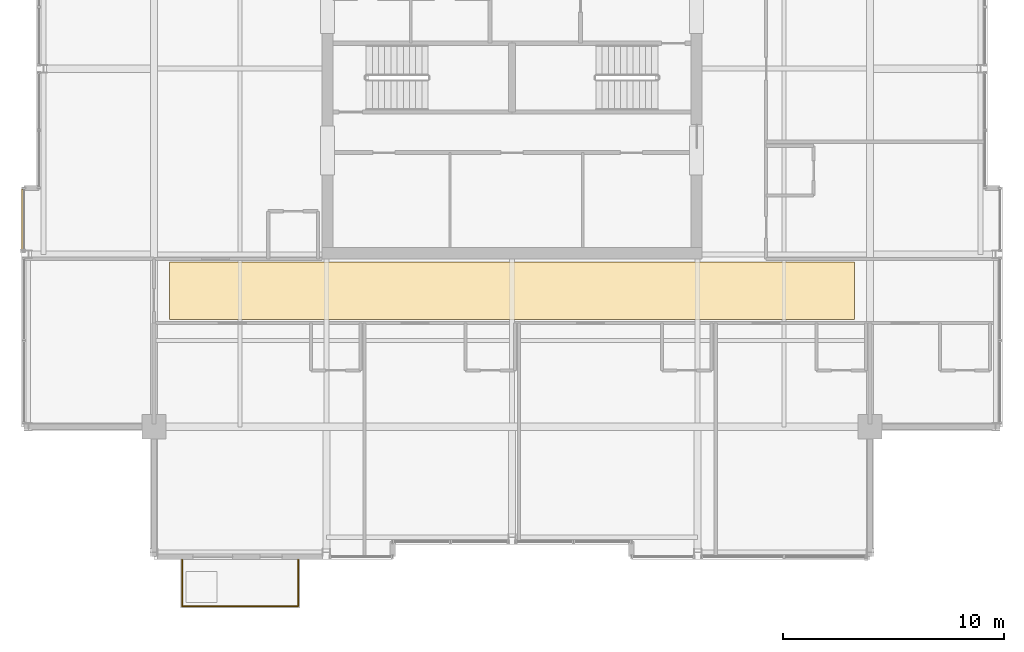
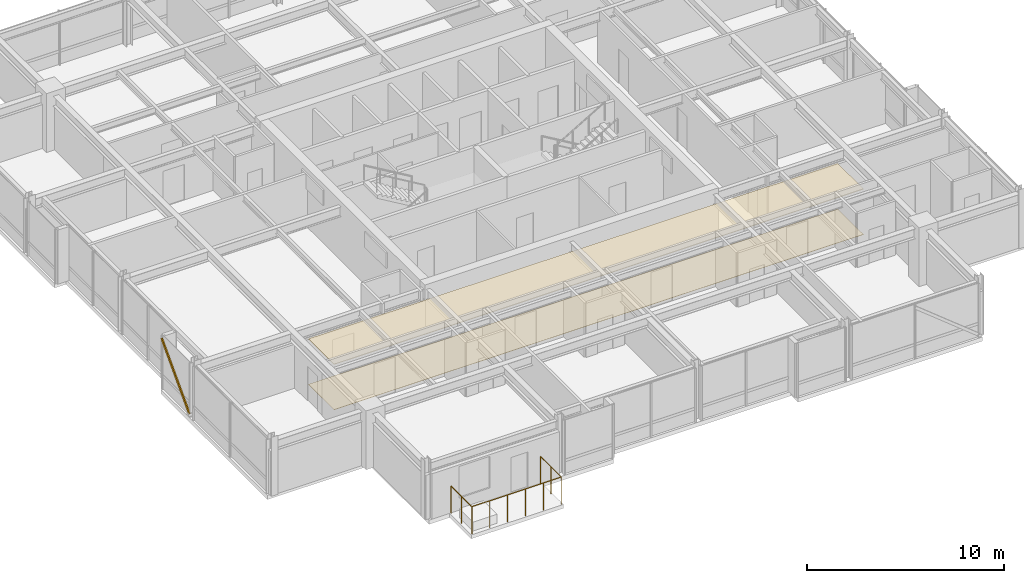
# One storey, part 32 of 34: 2 coverings, 1 railing, 1 shading device.
"""IFC4 building model written with IfcOpenShell, lengths in metres."""

from ifc_helpers import new_model, si_unit, direction, frame, origin, origin_2d, place, context, subcontext, project, spatial, polyline, hollow_rectangle, circle, outline, extrude, material, layer, layer_set, material_profile, profile_set, type_object, element, save


model = new_model("IFC4")

# Units and contexts
model_context = context("Model", 3, precision=1e-05, world=origin(), true_north=direction((0.0, 1.0)))
body_context = subcontext(model_context, "Body", "Model", "MODEL_VIEW")
ifc_project = project(units=[si_unit("LENGTHUNIT", "METRE"), si_unit("AREAUNIT", "SQUARE_METRE"), si_unit("VOLUMEUNIT", "CUBIC_METRE"), si_unit("PLANEANGLEUNIT", "RADIAN"), si_unit("MASSUNIT", "GRAM", prefix="KILO")], contexts=[model_context])

# Site, building, storey
site_placement = place(None, origin())
site = spatial("IfcSite", under=ifc_project, at=site_placement, CompositionType="ELEMENT")
building_placement = place(site_placement, origin())
building = spatial("IfcBuilding", under=site, at=building_placement, Name="Drelvath Grand Hotel", CompositionType="ELEMENT")
storey_placement = place(building_placement, frame((0.0, 0.0, 290.550048828125)))
storey = spatial("IfcBuildingStorey", under=building, at=storey_placement, Name="L76", CompositionType="ELEMENT", Elevation=290.550048828125)

# Shading device
ifc_material_1 = material(Name="Platinum-Mist Anodised Aluminium", Category="aluminium")
ifc_material_profile = material_profile(ifc_material_1, hollow_rectangle(XDim=0.06494140625, YDim=0.159912109375, WallThickness=0.00390625, at=origin_2d()), Name="HSS160X65X4")
ifc_profile_set = profile_set([ifc_material_profile], Name="Platinum-Mist Anodised Aluminium")
shading_device_type = type_object("IfcShadingDeviceType", Name="Diagonal Solar Fin Platinum Anodised HSS160X65X4", PredefinedType="USERDEFINED", material=ifc_profile_set)
shading_device_placement = place(storey_placement, frame((-22.159912109375, 18.77001953125, 0.179931640625), z_axis=(0.0, 0.687418898533, 0.726261149959), x_axis=(-1.0, 0.0, 0.0)))
element("IfcShadingDevice", 1, at=shading_device_placement, inside=storey, type_object=shading_device_type, Name="L76 Diagonal Anodised Fin CW05-L76-WS2", ObjectType="FIN", PredefinedType="USERDEFINED", context=body_context, shape_type="SweptSolid", body=[
    extrude(hollow_rectangle(XDim=0.06494140625, YDim=0.159912109375, WallThickness=0.00390625, at=origin_2d()), origin(), (0.0, 0.0, 1.0), 4.116943359375),
])

# Coverings
ifc_material_2 = material(Name="Woven Wool Broadloom Carpet")
ifc_layer_1 = layer(ifc_material_2, 0.01806640625)
ifc_layer_set_1 = layer_set([ifc_layer_1], Name="Woven Wool Broadloom Carpet")
covering_type_1 = type_object("IfcCoveringType", Name="Hospitality Broadloom Carpet 18", PredefinedType="FLOORING", material=ifc_layer_set_1)
covering_1_placement = place(storey_placement, origin())
element("IfcCovering", 2, at=covering_1_placement, inside=storey, type_object=covering_type_1, Name="L76 Upper Gallery Carpet", PredefinedType="FLOORING", context=body_context, shape_type="SweptSolid", body=[
    extrude(outline(polyline([(15.5, 15.64990234375), (15.5, 18.25), (-15.5, 18.25), (-15.5, 15.64990234375), (15.5, 15.64990234375)])), origin(), (0.0, 0.0, 1.0), 0.01806640625),
])
ifc_material_3 = material(Name="Anodised Aluminium Alloy", Category="aluminium")
ifc_layer_2 = layer(ifc_material_3, 0.0400390625)
ifc_layer_set_2 = layer_set([ifc_layer_2], Name="Anodised Aluminium Alloy")
covering_type_2 = type_object("IfcCoveringType", Name="Perforated Metal Corridor Ceiling 40", PredefinedType="CEILING", material=ifc_layer_set_2)
covering_2_placement = place(storey_placement, frame((0.0, 0.0, 2.800048828125)))
element("IfcCovering", 3, at=covering_2_placement, inside=storey, type_object=covering_type_2, Name="L76 Upper Gallery Ceiling", PredefinedType="CEILING", context=body_context, shape_type="SweptSolid", body=[
    extrude(outline(polyline([(15.5, 15.64990234375), (15.5, 18.25), (-15.5, 18.25), (-15.5, 15.64990234375), (15.5, 15.64990234375)])), origin(), (0.0, 0.0, 1.0), 0.039794921875),
])

# Railing
ifc_material_4 = material(Name="Anodised Aluminium and Laminated Glass Balustrade", Category="aluminium")
railing_type = type_object("IfcRailingType", Name="Raised Planter Edge Balustrade 1700", PredefinedType="BALUSTRADE", material=ifc_material_4)
railing_placement = place(storey_placement, frame((-14.919921875, 4.780029296875, 0.0)))
element("IfcRailing", 4, at=railing_placement, inside=storey, type_object=railing_type, Name="L76 Tree Balcony Perimeter Balustrade 1", PredefinedType="BALUSTRADE", context=body_context, shape_type="SweptSolid", body=[
    extrude(circle(Radius=0.02392578125, at=origin_2d()), frame((0.0, 0.0, 1.67578125), z_axis=(0.0, -1.0, 0.0), x_axis=(1.0, 0.0, 0.0)), (0.0, 0.0, 1.0), 2.10009765625),
    extrude(circle(Radius=0.02392578125, at=origin_2d()), frame((0.0, -2.10009765625, 1.67578125), z_axis=(1.0, 0.0, 0.0), x_axis=(0.0, 1.0, 0.0)), (0.0, 0.0, 1.0), 5.239990234375),
    extrude(circle(Radius=0.02392578125, at=origin_2d()), frame((5.239990234375, -2.10009765625, 1.67578125), z_axis=(0.0, 1.0, 0.0), x_axis=(-1.0, 0.0, 0.0)), (0.0, 0.0, 1.0), 2.10009765625),
    extrude(circle(Radius=0.02099609375, at=origin_2d()), origin(), (0.0, 0.0, 1.0), 1.65185546875),
    extrude(circle(Radius=0.02099609375, at=origin_2d()), frame((0.0, -1.050048828125, 0.0)), (0.0, 0.0, 1.0), 1.65185546875),
    extrude(circle(Radius=0.02099609375, at=origin_2d()), frame((0.0, -2.10009765625, 0.0)), (0.0, 0.0, 1.0), 1.65185546875),
    extrude(circle(Radius=0.02099609375, at=origin_2d()), frame((1.048095703125, -2.10009765625, 0.0)), (0.0, 0.0, 1.0), 1.65185546875),
    extrude(circle(Radius=0.02099609375, at=origin_2d()), frame((2.095947265625, -2.10009765625, 0.0)), (0.0, 0.0, 1.0), 1.65185546875),
    extrude(circle(Radius=0.02099609375, at=origin_2d()), frame((3.14404296875, -2.10009765625, 0.0)), (0.0, 0.0, 1.0), 1.65185546875),
    extrude(circle(Radius=0.02099609375, at=origin_2d()), frame((4.19189453125, -2.10009765625, 0.0)), (0.0, 0.0, 1.0), 1.65185546875),
    extrude(circle(Radius=0.02099609375, at=origin_2d()), frame((5.239990234375, -2.10009765625, 0.0)), (0.0, 0.0, 1.0), 1.65185546875),
    extrude(circle(Radius=0.02099609375, at=origin_2d()), frame((5.239990234375, -1.050048828125, 0.0)), (0.0, 0.0, 1.0), 1.65185546875),
    extrude(circle(Radius=0.02099609375, at=origin_2d()), frame((5.239990234375, 0.0, 0.0)), (0.0, 0.0, 1.0), 1.65185546875),
])

save(model, "model.ifc")
